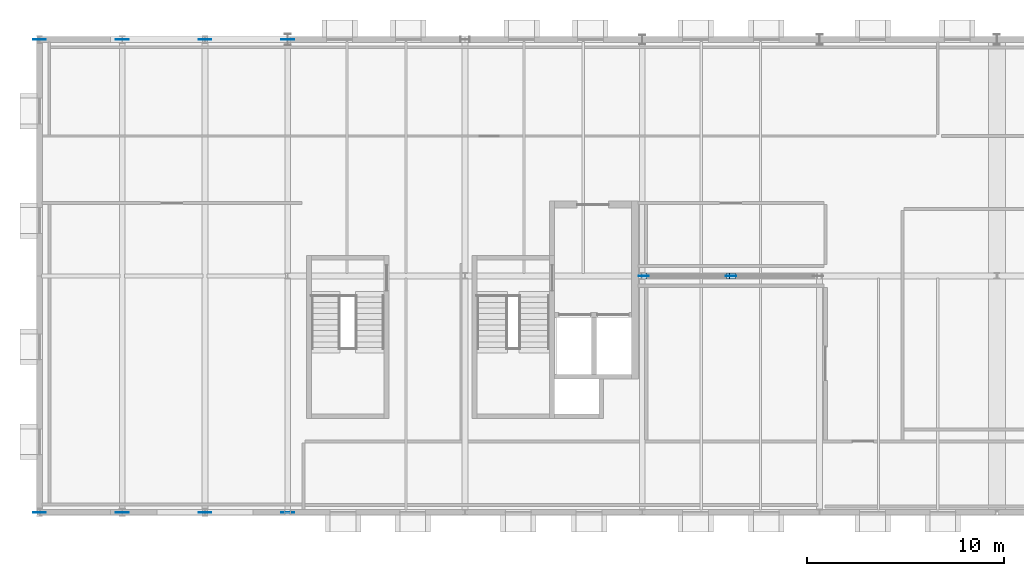
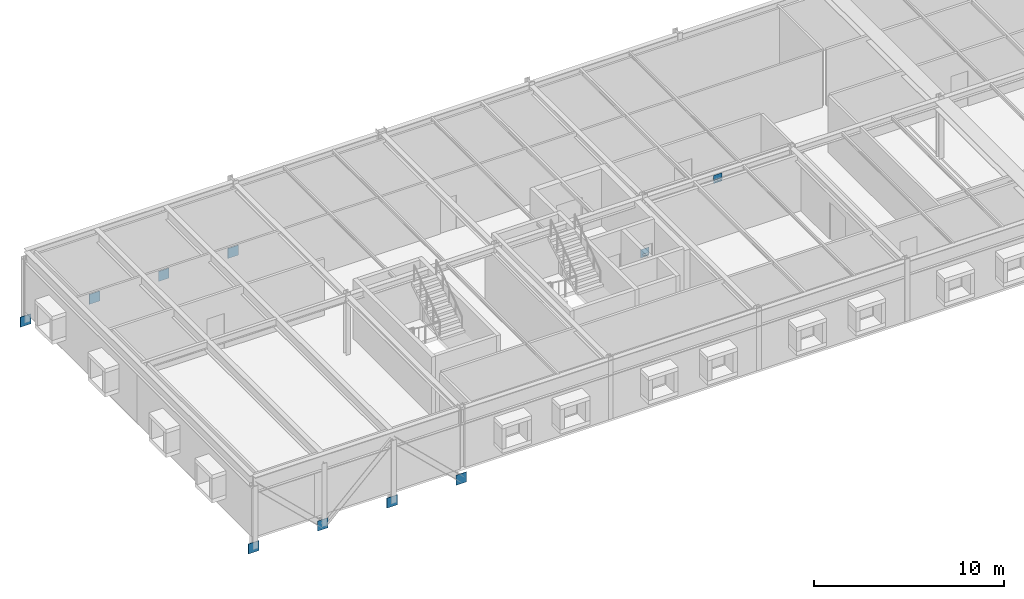
# One storey, part 8 of 17: 13 plates.
"""IFC4 building model written with IfcOpenShell, lengths in metres."""

import ifcopenshell
import ifcopenshell.guid

model = None  # the IFC model being written
_history = None  # IfcOwnerHistory: only IFC2X3 demands one
_inside = {}  # id of a spatial element -> (the spatial element, [elements in it])
_under = {}  # id of a project, library or spatial element -> (it, [spatial elements below it])
_declared = {}  # id of a project -> (the project, [libraries it declares])
_typed = {}  # id of a type object -> (the type object, [elements of that type])
_made_of = {}  # id of a material, layer set ... -> (it, [elements and type objects made of it])


def new_model(schema):
    """Start an empty IFC model of exactly this schema.

    Asked for "IFC4X3", IfcOpenShell would pick the latest addendum, in which some entities
    have other attributes; the version numbers below select the first issue.
    IFC2X3 requires an IfcOwnerHistory on every rooted entity: one is made here for all.
    """
    global model, _history
    if schema == "IFC4X3":
        model = ifcopenshell.file(schema_version=(4, 3, 0, 0))
    else:
        model = ifcopenshell.file(schema=schema)
    _inside.clear()
    _under.clear()
    _declared.clear()
    _typed.clear()
    _made_of.clear()
    _history = None
    if model.schema == "IFC2X3":
        org = make("IfcOrganization", Name="unknown")
        user = make(
            "IfcPersonAndOrganization",
            ThePerson=make("IfcPerson", FamilyName="unknown"),
            TheOrganization=org,
        )
        app = make(
            "IfcApplication",
            ApplicationDeveloper=org,
            Version="unknown",
            ApplicationFullName="unknown",
            ApplicationIdentifier="unknown",
        )
        _history = make(
            "IfcOwnerHistory",
            OwningUser=user,
            OwningApplication=app,
            ChangeAction="ADDED",
            CreationDate=0,
        )
    return model


def make(cls, **values):
    """One entity of the class cls with the attributes given. An attribute that is None is left unset."""
    return model.create_entity(
        cls, **{name: value for name, value in values.items() if value is not None}
    )


def rooted(cls, **values):
    """An entity with a GlobalId (a new one), such as an element, a storey or a relation."""
    return make(cls, GlobalId=ifcopenshell.guid.new(), OwnerHistory=_history, **values)


def si_unit(unit_type, name, prefix=None):
    """IfcSIUnit, for example si_unit("LENGTHUNIT", "METRE", prefix="MILLI")."""
    return make("IfcSIUnit", UnitType=unit_type, Prefix=prefix, Name=name)


def assignment(units):
    """IfcUnitAssignment: the units of a project."""
    return None if units is None else make("IfcUnitAssignment", Units=units)


def point(xyz):
    """IfcCartesianPoint."""
    return None if xyz is None else make("IfcCartesianPoint", Coordinates=xyz)


def direction(xyz):
    """IfcDirection."""
    return None if xyz is None else make("IfcDirection", DirectionRatios=xyz)


def frame(location, z_axis=None, x_axis=None):
    """IfcAxis2Placement3D, a coordinate frame: its origin and axes. An axis left out is left unset."""
    return make(
        "IfcAxis2Placement3D",
        Location=point(location),
        Axis=direction(z_axis),
        RefDirection=direction(x_axis),
    )


def frame_2d(location, x_axis=None):
    """IfcAxis2Placement2D, a coordinate frame in the plane: its origin and x axis."""
    return make(
        "IfcAxis2Placement2D", Location=point(location), RefDirection=direction(x_axis)
    )


def origin():
    """The frame at (0, 0, 0) with its axes left unset."""
    return frame((0.0, 0.0, 0.0))


def origin_2d():
    """The frame at (0, 0) in the plane with its x axis left unset."""
    return frame_2d((0.0, 0.0))


def place(relative_to, where):
    """IfcLocalPlacement: puts the frame where relative to a parent placement (None: the world)."""
    return make(
        "IfcLocalPlacement", PlacementRelTo=relative_to, RelativePlacement=where
    )


def context(
    kind, dimensions, precision=None, world=None, true_north=None, identifier=None
):
    """IfcGeometricRepresentationContext, for example the 3D "Model" context."""
    return make(
        "IfcGeometricRepresentationContext",
        ContextIdentifier=identifier,
        ContextType=kind,
        CoordinateSpaceDimension=dimensions,
        Precision=precision,
        WorldCoordinateSystem=world,
        TrueNorth=true_north,
    )


def subcontext(parent, identifier, kind, view, scale=None):
    """IfcGeometricRepresentationSubContext, for example "Body" below "Model"."""
    return make(
        "IfcGeometricRepresentationSubContext",
        ContextIdentifier=identifier,
        ContextType=kind,
        ParentContext=parent,
        TargetScale=scale,
        TargetView=view,
    )


def project(units=None, contexts=None):
    """IfcProject with its units and contexts."""
    return rooted(
        "IfcProject",
        Name="project",
        RepresentationContexts=contexts,
        UnitsInContext=assignment(units),
    )


def spatial(cls, under=None, at=None, **own):
    """A site, building, storey or space (cls), placed at a placement, below another one or the project."""
    s = rooted(cls, ObjectPlacement=at, **own)
    if under is not None:
        _under.setdefault(under.id(), (under, []))[1].append(s)
    return s


def profile(cls, at=None, kind="AREA", **sizes):
    """A parametric profile (cls). Its sizes go by their IFC names, for example OverallWidth=200.0."""
    return make(cls, ProfileType=kind, Position=at, **sizes)


def rectangle(**sizes):
    """IfcRectangleProfileDef."""
    return profile("IfcRectangleProfileDef", **sizes)


def extrude(swept, where, along, depth):
    """IfcExtrudedAreaSolid: the profile swept, set in the frame where, extruded along a direction by depth."""
    return make(
        "IfcExtrudedAreaSolid",
        SweptArea=swept,
        Position=where,
        ExtrudedDirection=direction(along),
        Depth=depth,
    )


def shape(context_of_items, identifier, shape_type, items):
    """IfcShapeRepresentation: the items that make up one representation, for example the "Body"."""
    return make(
        "IfcShapeRepresentation",
        ContextOfItems=context_of_items,
        RepresentationIdentifier=identifier,
        RepresentationType=shape_type,
        Items=items,
    )


def material(Name=None, Category=None):
    """IfcMaterial."""
    return make("IfcMaterial", Name=Name, Category=Category)


def layer(
    of_material, thickness, ventilated=None, Name=None, Category=None, Priority=None
):
    """IfcMaterialLayer: one layer of a wall or slab, of a material (None: an air gap)."""
    return make(
        "IfcMaterialLayer",
        Material=of_material,
        LayerThickness=thickness,
        IsVentilated=ventilated,
        Name=Name,
        Category=Category,
        Priority=Priority,
    )


def layer_set(layers, Name=None):
    """IfcMaterialLayerSet."""
    return make("IfcMaterialLayerSet", MaterialLayers=layers, LayerSetName=Name)


def made_of(thing, what):
    """Note that an element or type object is made of a material, layer set ...; save() writes the relation."""
    if what is not None:
        _made_of.setdefault(what.id(), (what, []))[1].append(thing)
    return thing


def type_object(cls, material=None, **own):
    """A type object (cls), such as IfcWallType, which elements share."""
    return made_of(rooted(cls, **own), material)


def element(
    cls,
    number,
    at=None,
    inside=None,
    cuts=None,
    type_object=None,
    material=None,
    context=None,
    identifier="Body",
    shape_type=None,
    held_by="IfcProductDefinitionShape",
    body=None,
    shapes=None,
    **own,
):
    """One element of the class cls, such as IfcWall. Its Tag is "e" and its number.

    at: its placement. inside: the storey or other place that contains it. cuts: it is an
    opening in that element (IfcRelVoidsElement). A single representation is given by context,
    identifier, shape_type and body (its items); several are given by shapes. held_by: the class
    of the entity that holds the representations. save() writes the other relations.
    """
    e = rooted(cls, Tag="e%d" % number, ObjectPlacement=at, **own)
    if body is not None:
        shapes = [shape(context, identifier, shape_type, body)]
    if shapes is not None:
        e.Representation = make(held_by, Representations=shapes)
    if inside is not None:
        _inside.setdefault(inside.id(), (inside, []))[1].append(e)
    if cuts is not None:
        rooted(
            "IfcRelVoidsElement", RelatingBuildingElement=cuts, RelatedOpeningElement=e
        )
    if type_object is not None:
        _typed.setdefault(type_object.id(), (type_object, []))[1].append(e)
    return made_of(e, material)


def aggregate(whole, parts):
    """IfcRelAggregates: a whole, such as a stair, and the parts it consists of."""
    return rooted("IfcRelAggregates", RelatingObject=whole, RelatedObjects=parts)


def save(model, path):
    """Write the relations noted so far, then the file.

    IfcRelAggregates (storeys below a building ...), IfcRelContainedInSpatialStructure (elements
    in a storey), IfcRelDefinesByType, IfcRelAssociatesMaterial and IfcRelDeclares: one each for
    every whole, place, type object, material and project.
    """
    for whole, parts in _under.values():
        aggregate(whole, parts)
    for where, things in _inside.values():
        rooted(
            "IfcRelContainedInSpatialStructure",
            RelatedElements=things,
            RelatingStructure=where,
        )
    for kind, things in _typed.values():
        rooted("IfcRelDefinesByType", RelatedObjects=things, RelatingType=kind)
    for what, things in _made_of.values():
        rooted("IfcRelAssociatesMaterial", RelatedObjects=things, RelatingMaterial=what)
    for by, libraries in _declared.values():
        rooted("IfcRelDeclares", RelatingContext=by, RelatedDefinitions=libraries)
    model.write(path)


model = new_model("IFC4")

# Units and contexts
model_context = context("Model", 3, precision=1e-05, world=origin(), true_north=direction((0.0, 1.0)))
body_context = subcontext(model_context, "Body", "Model", "MODEL_VIEW")
ifc_project = project(units=[si_unit("LENGTHUNIT", "METRE"), si_unit("AREAUNIT", "SQUARE_METRE"), si_unit("VOLUMEUNIT", "CUBIC_METRE"), si_unit("PLANEANGLEUNIT", "RADIAN"), si_unit("MASSUNIT", "GRAM", prefix="KILO")], contexts=[model_context])

# Site, building, storey
site_placement = place(None, origin())
site = spatial("IfcSite", under=ifc_project, at=site_placement, CompositionType="ELEMENT")
building_placement = place(site_placement, origin())
building = spatial("IfcBuilding", under=site, at=building_placement, Name="Montelvaro Courts of Justice", CompositionType="ELEMENT")
storey_placement = place(building_placement, frame((0.0, 0.0, 27.39990234375)))
storey = spatial("IfcBuildingStorey", under=building, at=storey_placement, Name="L06", CompositionType="ELEMENT", Elevation=27.39990234375)

# Plates
ifc_material = material(Name="Steel S355", Category="steel")
ifc_layer_1 = layer(ifc_material, 0.011962890625)
ifc_layer_set_1 = layer_set([ifc_layer_1], Name="Steel S355")
plate_type_1 = type_object("IfcPlateType", Name="EndCapPlate_12", PredefinedType="USERDEFINED", material=ifc_layer_set_1)
for number, where, z_axis, x_axis, name in (
    (1, (63.080078125, 12.0, 0.07421875), (0.0, 0.0, 1.0), (1.0, 0.0, 0.0), "Brace End Cap Plate CP-01 CBF1-L06-1A"),
    (2, (67.419921875, 12.0, 3.333984375), (0.0, 0.0, 1.0), (1.0, 0.0, 0.0), "Brace End Cap Plate CP-01 CBF1-L06-1B"),
    (3, (67.580078125, 12.0, 3.333984375), (0.0, 0.0, 1.0), (1.0, 0.0, 0.0), "Brace End Cap Plate CP-01 CBF1-L06-2B"),
):
    element("IfcPlate", number, at=place(storey_placement, frame(where, z_axis=z_axis, x_axis=x_axis)), inside=storey, type_object=plate_type_1, Name=name, ObjectType="GUSSET PLATE", PredefinedType="USERDEFINED", context=body_context, shape_type="SweptSolid", body=[
        extrude(rectangle(XDim=0.300048828125, YDim=0.300048828125, at=origin_2d()), origin(), (0.0, 0.0, 1.0), 0.011962890625),
    ])
ifc_layer_2 = layer(ifc_material, 0.02001953125)
ifc_layer_set_2 = layer_set([ifc_layer_2], Name="Steel S355")
plate_type_2 = type_object("IfcPlateType", Name="GussetPlate_20", PredefinedType="USERDEFINED", material=ifc_layer_set_2)
for number, where, z_axis, x_axis, name in (
    (4, (63.080078125, 12.0, -0.099853515625), (0.0, 0.0, 1.0), (1.0, 0.0, 0.0), "Chevron Brace Base Gusset Plate GP-01 CBF1-L06-B1"),
    (5, (67.5, 12.0, 3.1201171875), (0.0, 0.0, 1.0), (1.0, 0.0, 0.0), "Chevron Brace Gusset Plate GP-01 CBF1-L06"),
):
    element("IfcPlate", number, at=place(storey_placement, frame(where, z_axis=z_axis, x_axis=x_axis)), inside=storey, type_object=plate_type_2, Name=name, ObjectType="GUSSET PLATE", PredefinedType="USERDEFINED", context=body_context, shape_type="SweptSolid", body=[
        extrude(rectangle(XDim=0.52001953125, YDim=0.02001953125, at=origin_2d()), origin(), (0.0, 0.0, 1.0), 0.52001953125),
    ])
ifc_layer_3 = layer(ifc_material, 0.028076171875)
ifc_layer_set_3 = layer_set([ifc_layer_3], Name="Steel S355")
plate_type_3 = type_object("IfcPlateType", Name="GussetPlate_28", PredefinedType="USERDEFINED", material=ifc_layer_set_3)
for number, where, z_axis, x_axis, name in (
    (6, (45.0, 0.0, -1.06396484375), (0.0, 0.0, 1.0), (1.0, 0.0, 0.0), "Pratt Truss Gusset Plate GP-02 CTR-BAR3-S-L06-0B"),
    (7, (40.800048828125, 0.0, -1.06396484375), (0.0, 0.0, 1.0), (1.0, 0.0, 0.0), "Pratt Truss Gusset Plate GP-02 CTR-BAR3-S-L06-1B"),
    (8, (36.60009765625, 0.0, -1.06396484375), (0.0, 0.0, 1.0), (1.0, 0.0, 0.0), "Pratt Truss Gusset Plate GP-02 CTR-BAR3-S-L06-2B"),
    (9, (32.39990234375, 0.0, -1.06396484375), (0.0, 0.0, 1.0), (1.0, 0.0, 0.0), "Pratt Truss Gusset Plate GP-02 CTR-BAR3-S-L06-3B"),
    (10, (45.0, 24.0, -1.06396484375), (0.0, 0.0, 1.0), (1.0, 0.0, 0.0), "Pratt Truss Gusset Plate GP-02 CTR-BAR3-N-L06-0B"),
    (11, (40.800048828125, 24.0, -1.06396484375), (0.0, 0.0, 1.0), (1.0, 0.0, 0.0), "Pratt Truss Gusset Plate GP-02 CTR-BAR3-N-L06-1B"),
    (12, (36.60009765625, 24.0, -1.06396484375), (0.0, 0.0, 1.0), (1.0, 0.0, 0.0), "Pratt Truss Gusset Plate GP-02 CTR-BAR3-N-L06-2B"),
    (13, (32.39990234375, 24.0, -1.06396484375), (0.0, 0.0, 1.0), (1.0, 0.0, 0.0), "Pratt Truss Gusset Plate GP-02 CTR-BAR3-N-L06-3B"),
):
    element("IfcPlate", number, at=place(storey_placement, frame(where, z_axis=z_axis, x_axis=x_axis)), inside=storey, type_object=plate_type_3, Name=name, ObjectType="GUSSET PLATE", PredefinedType="USERDEFINED", context=body_context, shape_type="SweptSolid", body=[
        extrude(rectangle(XDim=0.639892578125, YDim=0.028076171875, at=origin_2d()), origin(), (0.0, 0.0, 1.0), 0.639892578125),
    ])

save(model, "model.ifc")
